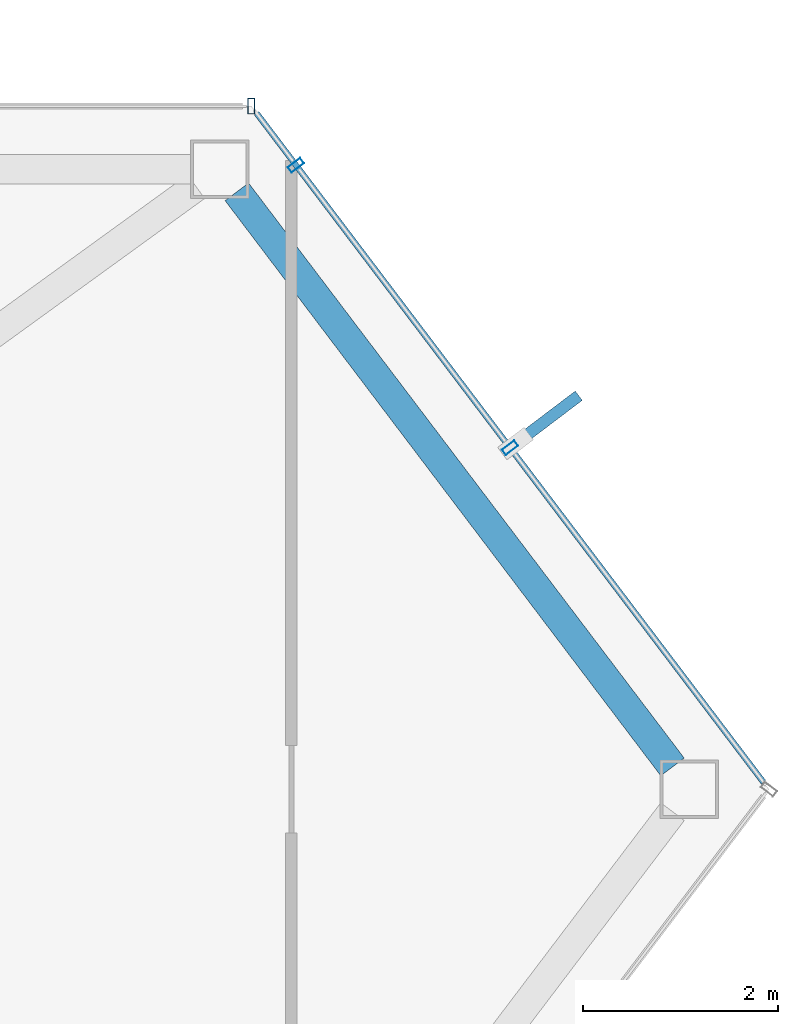
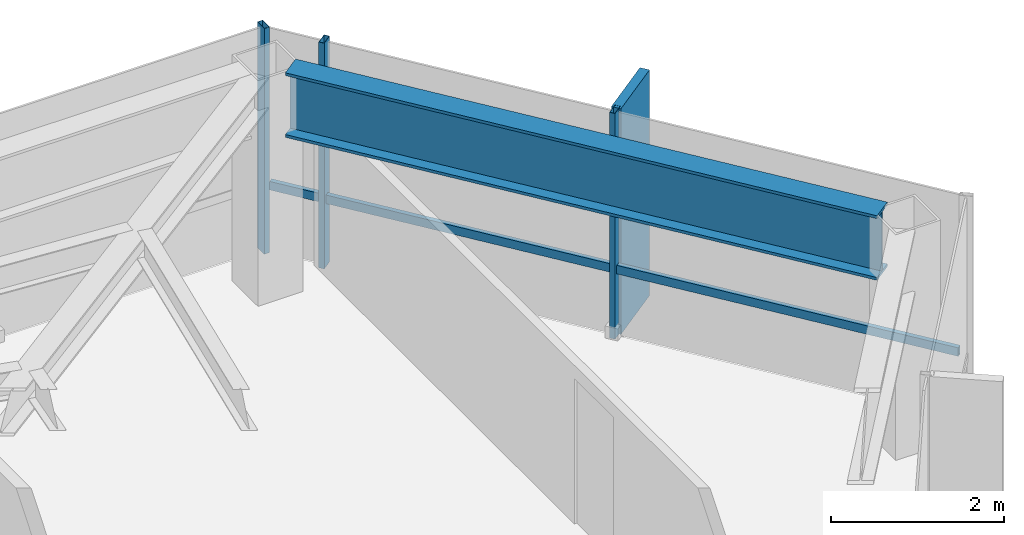
# One storey, part 23 of 28: 5 members, 1 beam, 2 elements without a shape of their own.
"""IFC4 building model written with IfcOpenShell, lengths in metres."""

import ifcopenshell
import ifcopenshell.guid

model = None  # the IFC model being written
_history = None  # IfcOwnerHistory: only IFC2X3 demands one
_inside = {}  # id of a spatial element -> (the spatial element, [elements in it])
_under = {}  # id of a project, library or spatial element -> (it, [spatial elements below it])
_declared = {}  # id of a project -> (the project, [libraries it declares])
_typed = {}  # id of a type object -> (the type object, [elements of that type])
_made_of = {}  # id of a material, layer set ... -> (it, [elements and type objects made of it])


def new_model(schema):
    """Start an empty IFC model of exactly this schema.

    Asked for "IFC4X3", IfcOpenShell would pick the latest addendum, in which some entities
    have other attributes; the version numbers below select the first issue.
    IFC2X3 requires an IfcOwnerHistory on every rooted entity: one is made here for all.
    """
    global model, _history
    if schema == "IFC4X3":
        model = ifcopenshell.file(schema_version=(4, 3, 0, 0))
    else:
        model = ifcopenshell.file(schema=schema)
    _inside.clear()
    _under.clear()
    _declared.clear()
    _typed.clear()
    _made_of.clear()
    _history = None
    if model.schema == "IFC2X3":
        org = make("IfcOrganization", Name="unknown")
        user = make(
            "IfcPersonAndOrganization",
            ThePerson=make("IfcPerson", FamilyName="unknown"),
            TheOrganization=org,
        )
        app = make(
            "IfcApplication",
            ApplicationDeveloper=org,
            Version="unknown",
            ApplicationFullName="unknown",
            ApplicationIdentifier="unknown",
        )
        _history = make(
            "IfcOwnerHistory",
            OwningUser=user,
            OwningApplication=app,
            ChangeAction="ADDED",
            CreationDate=0,
        )
    return model


def make(cls, **values):
    """One entity of the class cls with the attributes given. An attribute that is None is left unset."""
    return model.create_entity(
        cls, **{name: value for name, value in values.items() if value is not None}
    )


def rooted(cls, **values):
    """An entity with a GlobalId (a new one), such as an element, a storey or a relation."""
    return make(cls, GlobalId=ifcopenshell.guid.new(), OwnerHistory=_history, **values)


def si_unit(unit_type, name, prefix=None):
    """IfcSIUnit, for example si_unit("LENGTHUNIT", "METRE", prefix="MILLI")."""
    return make("IfcSIUnit", UnitType=unit_type, Prefix=prefix, Name=name)


def assignment(units):
    """IfcUnitAssignment: the units of a project."""
    return None if units is None else make("IfcUnitAssignment", Units=units)


def point(xyz):
    """IfcCartesianPoint."""
    return None if xyz is None else make("IfcCartesianPoint", Coordinates=xyz)


def direction(xyz):
    """IfcDirection."""
    return None if xyz is None else make("IfcDirection", DirectionRatios=xyz)


def frame(location, z_axis=None, x_axis=None):
    """IfcAxis2Placement3D, a coordinate frame: its origin and axes. An axis left out is left unset."""
    return make(
        "IfcAxis2Placement3D",
        Location=point(location),
        Axis=direction(z_axis),
        RefDirection=direction(x_axis),
    )


def frame_2d(location, x_axis=None):
    """IfcAxis2Placement2D, a coordinate frame in the plane: its origin and x axis."""
    return make(
        "IfcAxis2Placement2D", Location=point(location), RefDirection=direction(x_axis)
    )


def origin():
    """The frame at (0, 0, 0) with its axes left unset."""
    return frame((0.0, 0.0, 0.0))


def origin_2d():
    """The frame at (0, 0) in the plane with its x axis left unset."""
    return frame_2d((0.0, 0.0))


def place(relative_to, where):
    """IfcLocalPlacement: puts the frame where relative to a parent placement (None: the world)."""
    return make(
        "IfcLocalPlacement", PlacementRelTo=relative_to, RelativePlacement=where
    )


def context(
    kind, dimensions, precision=None, world=None, true_north=None, identifier=None
):
    """IfcGeometricRepresentationContext, for example the 3D "Model" context."""
    return make(
        "IfcGeometricRepresentationContext",
        ContextIdentifier=identifier,
        ContextType=kind,
        CoordinateSpaceDimension=dimensions,
        Precision=precision,
        WorldCoordinateSystem=world,
        TrueNorth=true_north,
    )


def subcontext(parent, identifier, kind, view, scale=None):
    """IfcGeometricRepresentationSubContext, for example "Body" below "Model"."""
    return make(
        "IfcGeometricRepresentationSubContext",
        ContextIdentifier=identifier,
        ContextType=kind,
        ParentContext=parent,
        TargetScale=scale,
        TargetView=view,
    )


def project(units=None, contexts=None):
    """IfcProject with its units and contexts."""
    return rooted(
        "IfcProject",
        Name="project",
        RepresentationContexts=contexts,
        UnitsInContext=assignment(units),
    )


def spatial(cls, under=None, at=None, **own):
    """A site, building, storey or space (cls), placed at a placement, below another one or the project."""
    s = rooted(cls, ObjectPlacement=at, **own)
    if under is not None:
        _under.setdefault(under.id(), (under, []))[1].append(s)
    return s


def profile(cls, at=None, kind="AREA", **sizes):
    """A parametric profile (cls). Its sizes go by their IFC names, for example OverallWidth=200.0."""
    return make(cls, ProfileType=kind, Position=at, **sizes)


def rectangle(**sizes):
    """IfcRectangleProfileDef."""
    return profile("IfcRectangleProfileDef", **sizes)


def hollow_rectangle(**sizes):
    """IfcRectangleHollowProfileDef."""
    return profile("IfcRectangleHollowProfileDef", **sizes)


def i_section(**sizes):
    """IfcIShapeProfileDef."""
    return profile("IfcIShapeProfileDef", **sizes)


def extrude(swept, where, along, depth):
    """IfcExtrudedAreaSolid: the profile swept, set in the frame where, extruded along a direction by depth."""
    return make(
        "IfcExtrudedAreaSolid",
        SweptArea=swept,
        Position=where,
        ExtrudedDirection=direction(along),
        Depth=depth,
    )


def shape(context_of_items, identifier, shape_type, items):
    """IfcShapeRepresentation: the items that make up one representation, for example the "Body"."""
    return make(
        "IfcShapeRepresentation",
        ContextOfItems=context_of_items,
        RepresentationIdentifier=identifier,
        RepresentationType=shape_type,
        Items=items,
    )


def material(Name=None, Category=None):
    """IfcMaterial."""
    return make("IfcMaterial", Name=Name, Category=Category)


def layer(
    of_material, thickness, ventilated=None, Name=None, Category=None, Priority=None
):
    """IfcMaterialLayer: one layer of a wall or slab, of a material (None: an air gap)."""
    return make(
        "IfcMaterialLayer",
        Material=of_material,
        LayerThickness=thickness,
        IsVentilated=ventilated,
        Name=Name,
        Category=Category,
        Priority=Priority,
    )


def layer_set(layers, Name=None):
    """IfcMaterialLayerSet."""
    return make("IfcMaterialLayerSet", MaterialLayers=layers, LayerSetName=Name)


def material_profile(
    of_material, cross_section, Name=None, Category=None, Priority=None
):
    """IfcMaterialProfile: a cross section and its material."""
    return make(
        "IfcMaterialProfile",
        Name=Name,
        Material=of_material,
        Profile=cross_section,
        Priority=Priority,
        Category=Category,
    )


def profile_set(profiles, Name=None, composite=None):
    """IfcMaterialProfileSet."""
    return make(
        "IfcMaterialProfileSet",
        Name=Name,
        MaterialProfiles=profiles,
        CompositeProfile=composite,
    )


def made_of(thing, what):
    """Note that an element or type object is made of a material, layer set ...; save() writes the relation."""
    if what is not None:
        _made_of.setdefault(what.id(), (what, []))[1].append(thing)
    return thing


def type_object(cls, material=None, **own):
    """A type object (cls), such as IfcWallType, which elements share."""
    return made_of(rooted(cls, **own), material)


def element(
    cls,
    number,
    at=None,
    inside=None,
    cuts=None,
    type_object=None,
    material=None,
    context=None,
    identifier="Body",
    shape_type=None,
    held_by="IfcProductDefinitionShape",
    body=None,
    shapes=None,
    **own,
):
    """One element of the class cls, such as IfcWall. Its Tag is "e" and its number.

    at: its placement. inside: the storey or other place that contains it. cuts: it is an
    opening in that element (IfcRelVoidsElement). A single representation is given by context,
    identifier, shape_type and body (its items); several are given by shapes. held_by: the class
    of the entity that holds the representations. save() writes the other relations.
    """
    e = rooted(cls, Tag="e%d" % number, ObjectPlacement=at, **own)
    if body is not None:
        shapes = [shape(context, identifier, shape_type, body)]
    if shapes is not None:
        e.Representation = make(held_by, Representations=shapes)
    if inside is not None:
        _inside.setdefault(inside.id(), (inside, []))[1].append(e)
    if cuts is not None:
        rooted(
            "IfcRelVoidsElement", RelatingBuildingElement=cuts, RelatedOpeningElement=e
        )
    if type_object is not None:
        _typed.setdefault(type_object.id(), (type_object, []))[1].append(e)
    return made_of(e, material)


def aggregate(whole, parts):
    """IfcRelAggregates: a whole, such as a stair, and the parts it consists of."""
    return rooted("IfcRelAggregates", RelatingObject=whole, RelatedObjects=parts)


def save(model, path):
    """Write the relations noted so far, then the file.

    IfcRelAggregates (storeys below a building ...), IfcRelContainedInSpatialStructure (elements
    in a storey), IfcRelDefinesByType, IfcRelAssociatesMaterial and IfcRelDeclares: one each for
    every whole, place, type object, material and project.
    """
    for whole, parts in _under.values():
        aggregate(whole, parts)
    for where, things in _inside.values():
        rooted(
            "IfcRelContainedInSpatialStructure",
            RelatedElements=things,
            RelatingStructure=where,
        )
    for kind, things in _typed.values():
        rooted("IfcRelDefinesByType", RelatedObjects=things, RelatingType=kind)
    for what, things in _made_of.values():
        rooted("IfcRelAssociatesMaterial", RelatedObjects=things, RelatingMaterial=what)
    for by, libraries in _declared.values():
        rooted("IfcRelDeclares", RelatingContext=by, RelatedDefinitions=libraries)
    model.write(path)


model = new_model("IFC4")

# Units and contexts
model_context = context("Model", 3, precision=1e-05, world=origin(), true_north=direction((0.0, 1.0)))
body_context = subcontext(model_context, "Body", "Model", "MODEL_VIEW")
ifc_project = project(units=[si_unit("LENGTHUNIT", "METRE"), si_unit("AREAUNIT", "SQUARE_METRE"), si_unit("VOLUMEUNIT", "CUBIC_METRE"), si_unit("PLANEANGLEUNIT", "RADIAN"), si_unit("MASSUNIT", "GRAM", prefix="KILO")], contexts=[model_context])

# Site, building, storey
site_placement = place(None, origin())
site = spatial("IfcSite", under=ifc_project, at=site_placement, CompositionType="ELEMENT")
building_placement = place(site_placement, origin())
building = spatial("IfcBuilding", under=site, at=building_placement, Name="Zarrinselat Tower", CompositionType="ELEMENT")
storey_placement = place(building_placement, frame((0.0, 0.0, 222.360107421875)))
storey = spatial("IfcBuildingStorey", under=building, at=storey_placement, Name="L55", CompositionType="ELEMENT", Elevation=222.360107421875)

# Beam
ifc_material_1 = material(Name="Steel S460M", Category="steel")
ifc_material_profile_1 = material_profile(ifc_material_1, i_section(OverallWidth=0.302001953125, OverallDepth=0.909912109375, WebThickness=0.02099609375, FlangeThickness=0.0400390625, at=origin_2d()), Name="HEM 900")
ifc_profile_set_1 = profile_set([ifc_material_profile_1], Name="Steel S460M")
beam_type = type_object("IfcBeamType", Name="BM-HEM900", PredefinedType="BEAM", material=ifc_profile_set_1)
beam_placement = place(storey_placement, frame((56.59033203125, 47.414794921875, 2.724853515625), z_axis=(0.6038557856, -0.797093589359, 0.0), x_axis=(0.797093589359, 0.6038557856, 0.0)))
element("IfcBeam", 1, at=beam_placement, inside=storey, type_object=beam_type, Name="L55 Perimeter Spandrel Girder SP15", PredefinedType="BEAM", context=body_context, shape_type="SweptSolid", body=[
    extrude(i_section(OverallWidth=0.302001953125, OverallDepth=0.909912109375, WebThickness=0.02099609375, FlangeThickness=0.0400390625, at=origin_2d()), origin(), (0.0, 0.0, 1.0), 7.41259765625),
])

# Curtain wall, member
ifc_material_2 = material(Name="Extruded Aluminium Alloy EN AW-6063 T6", Category="aluminium")
ifc_layer = layer(ifc_material_2, 0.169921875)
ifc_layer_set = layer_set([ifc_layer], Name="Extruded Aluminium Alloy EN AW-6063 T6")
curtain_wall_type = type_object("IfcCurtainWallType", Name="CWS-RES", PredefinedType="NOTDEFINED", material=ifc_layer_set)
curtain_wall_1_placement = place(storey_placement, origin())
curtain_wall_1 = element("IfcCurtainWall", 2, at=curtain_wall_1_placement, inside=storey, type_object=curtain_wall_type, Name="L55 Unitised Curtain Wall CW-L55-E01", PredefinedType="NOTDEFINED")
ifc_material_3 = material(Name="Extruded Aluminium Alloy EN AW-6063 T6", Category="aluminium")
ifc_material_profile_2 = material_profile(ifc_material_3, hollow_rectangle(XDim=0.070068359375, YDim=0.159912109375, WallThickness=0.00390625, at=origin_2d()), Name="RHS 160x70x4")
ifc_profile_set_2 = profile_set([ifc_material_profile_2], Name="Extruded Aluminium Alloy EN AW-6063 T6")
member_type_1 = type_object("IfcMemberType", Name="MEM-CW-MUL2", PredefinedType="MULLION", material=ifc_profile_set_2)
member_1_placement = place(storey_placement, frame((56.739501953125, 48.29443359375, 0.0), z_axis=(0.0, 0.0, 1.0), x_axis=(-1.0, 0.0, 0.0)))
member_1 = element("IfcMember", 3, at=member_1_placement, type_object=member_type_1, Name="CW-L55-E01 Mullion 0", PredefinedType="MULLION", context=body_context, shape_type="SweptSolid", body=[
    extrude(hollow_rectangle(XDim=0.070068359375, YDim=0.159912109375, WallThickness=0.00390625, at=origin_2d()), origin(), (0.0, 0.0, 1.0), 3.179931640625),
])
aggregate(curtain_wall_1, [member_1])

# Curtain wall, members
curtain_wall_2_placement = place(storey_placement, origin())
curtain_wall_2 = element("IfcCurtainWall", 4, at=curtain_wall_2_placement, inside=storey, type_object=curtain_wall_type, Name="L55 Unitised Curtain Wall CW-L55-E06", PredefinedType="NOTDEFINED")
member_2_placement = place(storey_placement, frame((59.397705078125, 44.78564453125, 0.0), z_axis=(0.0, 0.0, 1.0), x_axis=(-0.603860312232, 0.797090160089, 0.0)))
member_2 = element("IfcMember", 5, at=member_2_placement, type_object=member_type_1, Name="CW-L55-E06 Mullion 1", PredefinedType="MULLION", context=body_context, shape_type="SweptSolid", body=[
    extrude(hollow_rectangle(XDim=0.070068359375, YDim=0.159912109375, WallThickness=0.00390625, at=origin_2d()), origin(), (0.0, 0.0, 1.0), 3.179931640625),
])
member_3_placement = place(storey_placement, frame((57.1982421875, 47.688720703125, 0.0), z_axis=(0.0, 0.0, 1.0), x_axis=(-0.603860312232, 0.797090160089, 0.0)))
member_3 = element("IfcMember", 6, at=member_3_placement, type_object=member_type_1, Name="CW-L55-E06 Mullion 2", PredefinedType="MULLION", context=body_context, shape_type="SweptSolid", body=[
    extrude(hollow_rectangle(XDim=0.070068359375, YDim=0.159912109375, WallThickness=0.00390625, at=origin_2d()), origin(), (0.0, 0.0, 1.0), 3.179931640625),
])
ifc_material_4 = material(Name="Extruded Aluminium Alloy EN AW-6063 T6", Category="aluminium")
ifc_material_profile_3 = material_profile(ifc_material_4, hollow_rectangle(XDim=0.06005859375, YDim=0.1201171875, WallThickness=0.00390625, at=origin_2d()), Name="RHS 120x60x4")
ifc_profile_set_3 = profile_set([ifc_material_profile_3], Name="Extruded Aluminium Alloy EN AW-6063 T6")
member_type_2 = type_object("IfcMemberType", Name="MEM-CW-TRN2", PredefinedType="USERDEFINED", material=ifc_profile_set_3)
member_4_placement = place(storey_placement, frame((62.00146484375, 41.348388671875, 0.949951171875), z_axis=(-0.603856597922, 0.797092973966, 0.0), x_axis=(-0.797092973966, -0.603856597922, 0.0)))
member_4 = element("IfcMember", 7, at=member_4_placement, type_object=member_type_2, Name="CW-L55-E06 Transom 1", ObjectType="TRANSOM", PredefinedType="USERDEFINED", context=body_context, shape_type="SweptSolid", body=[
    extrude(hollow_rectangle(XDim=0.06005859375, YDim=0.1201171875, WallThickness=0.00390625, at=origin_2d()), origin(), (0.0, 0.0, 1.0), 8.624267578125),
])
ifc_material_5 = material(Name="Honed Cream Travertine Stone", Category="masonry")
ifc_material_profile_4 = material_profile(ifc_material_5, rectangle(XDim=0.1201171875, YDim=0.85009765625, at=origin_2d()), Name="FIN 850x120")
ifc_profile_set_4 = profile_set([ifc_material_profile_4], Name="Honed Cream Travertine Stone")
member_type_3 = type_object("IfcMemberType", Name="MEM-STONE-FIN", PredefinedType="USERDEFINED", material=ifc_profile_set_4)
member_5_placement = place(storey_placement, frame((59.764404296875, 45.0634765625, 0.0), z_axis=(0.0, 0.0, 1.0), x_axis=(0.603860312232, -0.797090160089, 0.0)))
member_5 = element("IfcMember", 8, at=member_5_placement, type_object=member_type_3, Name="L55 Stone Shading Fin CW-L55-E06-01", ObjectType="FIN", PredefinedType="USERDEFINED", context=body_context, shape_type="SweptSolid", body=[
    extrude(rectangle(XDim=0.1201171875, YDim=0.85009765625, at=origin_2d()), origin(), (0.0, 0.0, 1.0), 3.179931640625),
])
aggregate(curtain_wall_2, [member_2, member_5, member_3, member_4])

save(model, "model.ifc")
